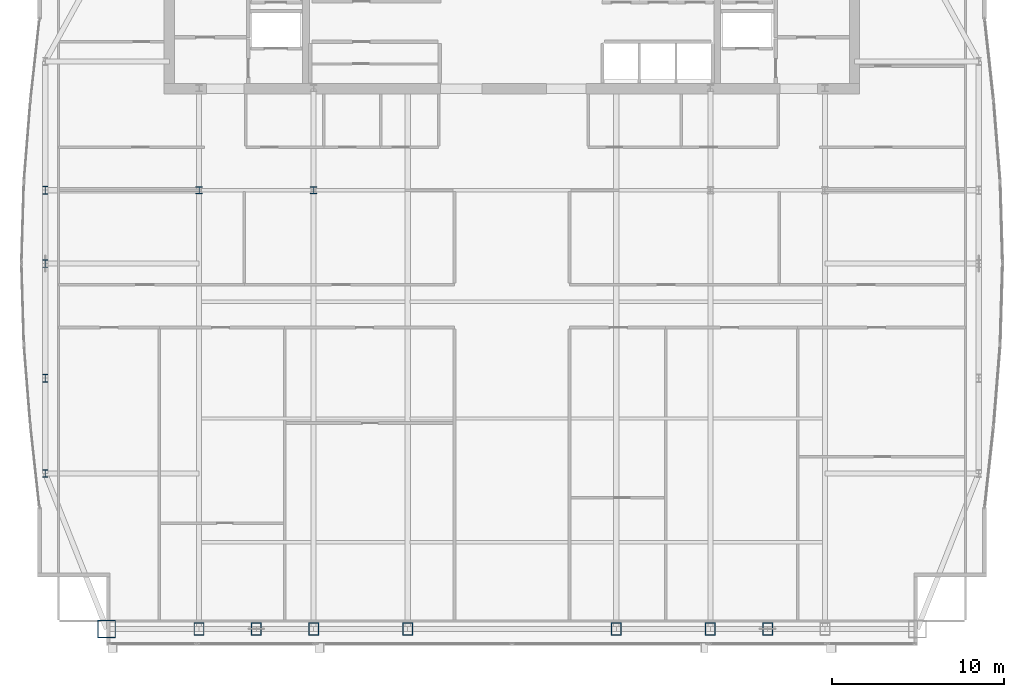
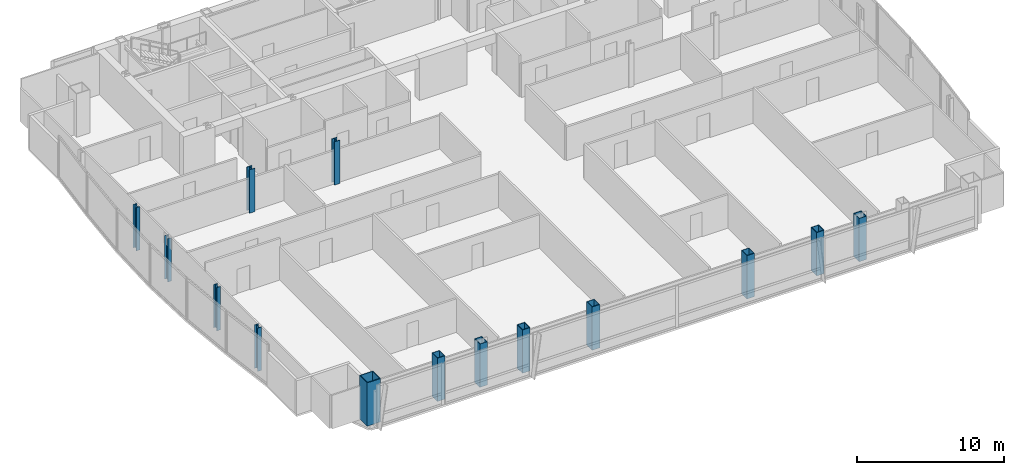
# One storey, part 1 of 29: 14 columns.
"""IFC4 building model written with IfcOpenShell, lengths in metres."""

from ifc_helpers import new_model, si_unit, direction, frame, origin, origin_2d, place, context, subcontext, project, spatial, hollow_rectangle, i_section, extrude, material, material_profile, profile_set, type_object, element, save


model = new_model("IFC4")

# Units and contexts
model_context = context("Model", 3, precision=1e-05, world=origin(), true_north=direction((0.0, 1.0)))
body_context = subcontext(model_context, "Body", "Model", "MODEL_VIEW")
ifc_project = project(units=[si_unit("LENGTHUNIT", "METRE"), si_unit("AREAUNIT", "SQUARE_METRE"), si_unit("VOLUMEUNIT", "CUBIC_METRE"), si_unit("PLANEANGLEUNIT", "RADIAN"), si_unit("MASSUNIT", "GRAM", prefix="KILO")], contexts=[model_context])

# Site, building, storey
site_placement = place(None, origin())
site = spatial("IfcSite", under=ifc_project, at=site_placement, CompositionType="ELEMENT")
building_placement = place(site_placement, origin())
building = spatial("IfcBuilding", under=site, at=building_placement, Name="Khoronbel Lancet Exchange", CompositionType="ELEMENT")
storey_placement = place(building_placement, frame((0.0, 0.0, 246.199951171875)))
storey = spatial("IfcBuildingStorey", under=building, at=storey_placement, Name="L63", CompositionType="ELEMENT", Elevation=246.199951171875)

# Columns
ifc_material_1 = material(Name="Steel S460", Category="steel")
ifc_material_profile_1 = material_profile(ifc_material_1, hollow_rectangle(XDim=0.60009765625, YDim=0.75, WallThickness=0.044921875, at=origin_2d()), Name="BOX 750x600x45")
ifc_profile_set_1 = profile_set([ifc_material_profile_1], Name="Steel S460")
column_type_1 = type_object("IfcColumnType", Name="COL-EC3", PredefinedType="COLUMN", material=ifc_profile_set_1)
for number, where, z_axis, x_axis, name in (
    (1, (18.22509765625, 10.14990234375, 0.0), (0.0, 0.0, 1.0), (1.0, 0.0, 0.0), "Structural column SC-W1 L63"),
    (2, (21.5625, 10.14990234375, 0.0), (0.0, 0.0, 1.0), (1.0, 0.0, 0.0), "Structural column SC-WM L63"),
    (3, (24.89990234375, 10.14990234375, 0.0), (0.0, 0.0, 1.0), (1.0, 0.0, 0.0), "Structural column SC-W2 L63"),
    (4, (30.375, 10.14990234375, 0.0), (0.0, 0.0, 1.0), (1.0, 0.0, 0.0), "Structural column SC-C1 L63"),
    (5, (42.52490234375, 10.14990234375, 0.0), (0.0, 0.0, 1.0), (1.0, 0.0, 0.0), "Structural column SC-C2 L63"),
    (6, (48.0, 10.14990234375, 0.0), (0.0, 0.0, 1.0), (1.0, 0.0, 0.0), "Structural column SC-E1 L63"),
    (7, (51.33740234375, 10.14990234375, 0.0), (0.0, 0.0, 1.0), (1.0, 0.0, 0.0), "Structural column SC-EM L63"),
):
    element("IfcColumn", number, at=place(storey_placement, frame(where, z_axis=z_axis, x_axis=x_axis)), inside=storey, type_object=column_type_1, Name=name, PredefinedType="COLUMN", context=body_context, shape_type="SweptSolid", body=[
        extrude(hollow_rectangle(XDim=0.60009765625, YDim=0.75, WallThickness=0.044921875, at=origin_2d()), origin(), (0.0, 0.0, 1.0), 3.60009765625),
    ])
ifc_material_2 = material(Name="Steel S355", Category="steel")
ifc_material_profile_2 = material_profile(ifc_material_2, i_section(OverallWidth=0.406005859375, OverallDepth=0.416015625, WebThickness=0.02978515625, FlangeThickness=0.048095703125, at=origin_2d()), Name="HD 400x382")
ifc_profile_set_2 = profile_set([ifc_material_profile_2], Name="Steel S355")
column_type_2 = type_object("IfcColumnType", Name="COL-IC3", PredefinedType="COLUMN", material=ifc_profile_set_2)
for number, where, z_axis, x_axis, name in (
    (8, (18.22509765625, 35.699951171875, 0.0), (0.0, 0.0, 1.0), (1.0, 0.0, 0.0), "Spine gravity column TC1 L63"),
    (9, (24.89990234375, 35.699951171875, 0.0), (0.0, 0.0, 1.0), (1.0, 0.0, 0.0), "Spine gravity column TC2 L63"),
):
    element("IfcColumn", number, at=place(storey_placement, frame(where, z_axis=z_axis, x_axis=x_axis)), inside=storey, type_object=column_type_2, Name=name, PredefinedType="COLUMN", context=body_context, shape_type="SweptSolid", body=[
        extrude(i_section(OverallWidth=0.406005859375, OverallDepth=0.416015625, WebThickness=0.02978515625, FlangeThickness=0.048095703125, at=origin_2d()), origin(), (0.0, 0.0, 1.0), 3.60009765625),
    ])
ifc_material_profile_3 = material_profile(ifc_material_2, i_section(OverallWidth=0.300048828125, OverallDepth=0.449951171875, WebThickness=0.013916015625, FlangeThickness=0.02587890625, at=origin_2d()), Name="HEB 450")
ifc_profile_set_3 = profile_set([ifc_material_profile_3], Name="Steel S355")
column_type_3 = type_object("IfcColumnType", Name="COL-LC2", PredefinedType="COLUMN", material=ifc_profile_set_3)
for number, where, z_axis, x_axis, name in (
    (10, (9.27001953125, 19.199951171875, 0.0), (0.0, 0.0, 1.0), (1.0, 0.0, 0.0), "Structural column WC-1 L63"),
    (11, (9.27001953125, 24.75, 0.0), (0.0, 0.0, 1.0), (1.0, 0.0, 0.0), "Structural column WC-2 L63"),
    (12, (9.27001953125, 31.425048828125, 0.0), (0.0, 0.0, 1.0), (1.0, 0.0, 0.0), "Structural column WC-M L63"),
    (13, (9.27001953125, 35.699951171875, 0.0), (0.0, 0.0, 1.0), (1.0, 0.0, 0.0), "Structural column WC-3 L63"),
):
    element("IfcColumn", number, at=place(storey_placement, frame(where, z_axis=z_axis, x_axis=x_axis)), inside=storey, type_object=column_type_3, Name=name, PredefinedType="COLUMN", context=body_context, shape_type="SweptSolid", body=[
        extrude(i_section(OverallWidth=0.300048828125, OverallDepth=0.449951171875, WebThickness=0.013916015625, FlangeThickness=0.02587890625, at=origin_2d()), origin(), (0.0, 0.0, 1.0), 3.60009765625),
    ])
ifc_material_profile_4 = material_profile(ifc_material_1, hollow_rectangle(XDim=1.050048828125, YDim=1.050048828125, WallThickness=0.054931640625, at=origin_2d()), Name="BOX 1050x1050x55")
ifc_profile_set_4 = profile_set([ifc_material_profile_4], Name="Steel S460")
column_type_4 = type_object("IfcColumnType", Name="COL-MC6", PredefinedType="COLUMN", material=ifc_profile_set_4)
column_placement = place(storey_placement, frame((12.85009765625, 10.14990234375, 0.0), z_axis=(0.0, 0.0, 1.0), x_axis=(1.0, 0.0, 0.0)))
element("IfcColumn", 14, at=column_placement, inside=storey, type_object=column_type_4, Name="Structural column MC-SW L63", PredefinedType="COLUMN", context=body_context, shape_type="SweptSolid", body=[
    extrude(hollow_rectangle(XDim=1.050048828125, YDim=1.050048828125, WallThickness=0.054931640625, at=origin_2d()), origin(), (0.0, 0.0, 1.0), 3.60009765625),
])

save(model, "model.ifc")
